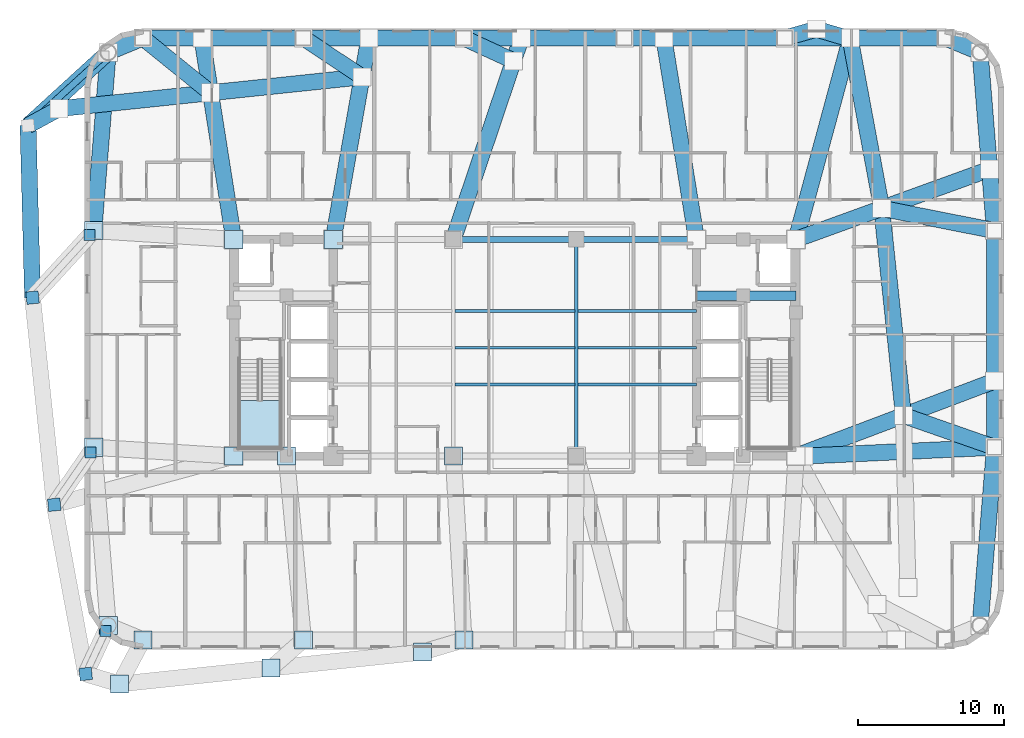
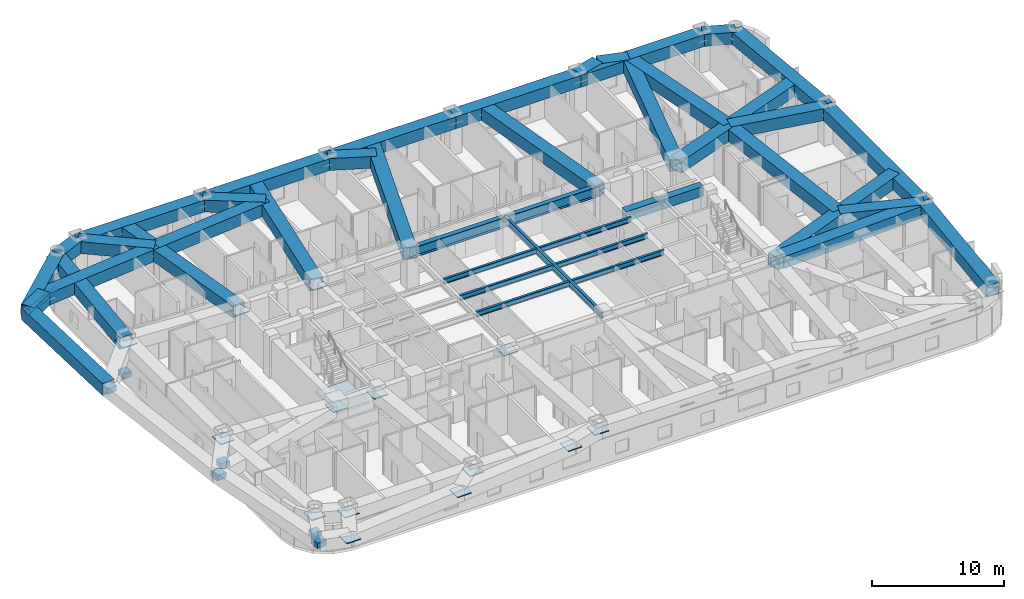
# One storey, part 2 of 14: 43 beams, 20 plates, 1 member, 1 slab, 1 element without a shape of its own.
"""IFC4 building model written with IfcOpenShell, lengths in metres."""

import ifcopenshell
import ifcopenshell.guid

model = None  # the IFC model being written
_history = None  # IfcOwnerHistory: only IFC2X3 demands one
_inside = {}  # id of a spatial element -> (the spatial element, [elements in it])
_under = {}  # id of a project, library or spatial element -> (it, [spatial elements below it])
_declared = {}  # id of a project -> (the project, [libraries it declares])
_typed = {}  # id of a type object -> (the type object, [elements of that type])
_made_of = {}  # id of a material, layer set ... -> (it, [elements and type objects made of it])


def new_model(schema):
    """Start an empty IFC model of exactly this schema.

    Asked for "IFC4X3", IfcOpenShell would pick the latest addendum, in which some entities
    have other attributes; the version numbers below select the first issue.
    IFC2X3 requires an IfcOwnerHistory on every rooted entity: one is made here for all.
    """
    global model, _history
    if schema == "IFC4X3":
        model = ifcopenshell.file(schema_version=(4, 3, 0, 0))
    else:
        model = ifcopenshell.file(schema=schema)
    _inside.clear()
    _under.clear()
    _declared.clear()
    _typed.clear()
    _made_of.clear()
    _history = None
    if model.schema == "IFC2X3":
        org = make("IfcOrganization", Name="unknown")
        user = make(
            "IfcPersonAndOrganization",
            ThePerson=make("IfcPerson", FamilyName="unknown"),
            TheOrganization=org,
        )
        app = make(
            "IfcApplication",
            ApplicationDeveloper=org,
            Version="unknown",
            ApplicationFullName="unknown",
            ApplicationIdentifier="unknown",
        )
        _history = make(
            "IfcOwnerHistory",
            OwningUser=user,
            OwningApplication=app,
            ChangeAction="ADDED",
            CreationDate=0,
        )
    return model


def make(cls, **values):
    """One entity of the class cls with the attributes given. An attribute that is None is left unset."""
    return model.create_entity(
        cls, **{name: value for name, value in values.items() if value is not None}
    )


def rooted(cls, **values):
    """An entity with a GlobalId (a new one), such as an element, a storey or a relation."""
    return make(cls, GlobalId=ifcopenshell.guid.new(), OwnerHistory=_history, **values)


def si_unit(unit_type, name, prefix=None):
    """IfcSIUnit, for example si_unit("LENGTHUNIT", "METRE", prefix="MILLI")."""
    return make("IfcSIUnit", UnitType=unit_type, Prefix=prefix, Name=name)


def assignment(units):
    """IfcUnitAssignment: the units of a project."""
    return None if units is None else make("IfcUnitAssignment", Units=units)


def point(xyz):
    """IfcCartesianPoint."""
    return None if xyz is None else make("IfcCartesianPoint", Coordinates=xyz)


def direction(xyz):
    """IfcDirection."""
    return None if xyz is None else make("IfcDirection", DirectionRatios=xyz)


def frame(location, z_axis=None, x_axis=None):
    """IfcAxis2Placement3D, a coordinate frame: its origin and axes. An axis left out is left unset."""
    return make(
        "IfcAxis2Placement3D",
        Location=point(location),
        Axis=direction(z_axis),
        RefDirection=direction(x_axis),
    )


def frame_2d(location, x_axis=None):
    """IfcAxis2Placement2D, a coordinate frame in the plane: its origin and x axis."""
    return make(
        "IfcAxis2Placement2D", Location=point(location), RefDirection=direction(x_axis)
    )


def origin():
    """The frame at (0, 0, 0) with its axes left unset."""
    return frame((0.0, 0.0, 0.0))


def origin_2d():
    """The frame at (0, 0) in the plane with its x axis left unset."""
    return frame_2d((0.0, 0.0))


def place(relative_to, where):
    """IfcLocalPlacement: puts the frame where relative to a parent placement (None: the world)."""
    return make(
        "IfcLocalPlacement", PlacementRelTo=relative_to, RelativePlacement=where
    )


def context(
    kind, dimensions, precision=None, world=None, true_north=None, identifier=None
):
    """IfcGeometricRepresentationContext, for example the 3D "Model" context."""
    return make(
        "IfcGeometricRepresentationContext",
        ContextIdentifier=identifier,
        ContextType=kind,
        CoordinateSpaceDimension=dimensions,
        Precision=precision,
        WorldCoordinateSystem=world,
        TrueNorth=true_north,
    )


def subcontext(parent, identifier, kind, view, scale=None):
    """IfcGeometricRepresentationSubContext, for example "Body" below "Model"."""
    return make(
        "IfcGeometricRepresentationSubContext",
        ContextIdentifier=identifier,
        ContextType=kind,
        ParentContext=parent,
        TargetScale=scale,
        TargetView=view,
    )


def project(units=None, contexts=None):
    """IfcProject with its units and contexts."""
    return rooted(
        "IfcProject",
        Name="project",
        RepresentationContexts=contexts,
        UnitsInContext=assignment(units),
    )


def spatial(cls, under=None, at=None, **own):
    """A site, building, storey or space (cls), placed at a placement, below another one or the project."""
    s = rooted(cls, ObjectPlacement=at, **own)
    if under is not None:
        _under.setdefault(under.id(), (under, []))[1].append(s)
    return s


def polyline(points):
    """IfcPolyline through the points."""
    return make("IfcPolyline", Points=[point(p) for p in points])


def profile(cls, at=None, kind="AREA", **sizes):
    """A parametric profile (cls). Its sizes go by their IFC names, for example OverallWidth=200.0."""
    return make(cls, ProfileType=kind, Position=at, **sizes)


def rectangle(**sizes):
    """IfcRectangleProfileDef."""
    return profile("IfcRectangleProfileDef", **sizes)


def hollow_rectangle(**sizes):
    """IfcRectangleHollowProfileDef."""
    return profile("IfcRectangleHollowProfileDef", **sizes)


def hollow_circle(**sizes):
    """IfcCircleHollowProfileDef."""
    return profile("IfcCircleHollowProfileDef", **sizes)


def i_section(**sizes):
    """IfcIShapeProfileDef."""
    return profile("IfcIShapeProfileDef", **sizes)


def outline(outer, holes=None, kind="AREA"):
    """IfcArbitraryClosedProfileDef: a profile drawn as a closed curve; with holes, ...WithVoids."""
    if holes is None:
        return make("IfcArbitraryClosedProfileDef", ProfileType=kind, OuterCurve=outer)
    return make(
        "IfcArbitraryProfileDefWithVoids",
        ProfileType=kind,
        OuterCurve=outer,
        InnerCurves=holes,
    )


def extrude(swept, where, along, depth):
    """IfcExtrudedAreaSolid: the profile swept, set in the frame where, extruded along a direction by depth."""
    return make(
        "IfcExtrudedAreaSolid",
        SweptArea=swept,
        Position=where,
        ExtrudedDirection=direction(along),
        Depth=depth,
    )


def shape(context_of_items, identifier, shape_type, items):
    """IfcShapeRepresentation: the items that make up one representation, for example the "Body"."""
    return make(
        "IfcShapeRepresentation",
        ContextOfItems=context_of_items,
        RepresentationIdentifier=identifier,
        RepresentationType=shape_type,
        Items=items,
    )


def material(Name=None, Category=None):
    """IfcMaterial."""
    return make("IfcMaterial", Name=Name, Category=Category)


def layer(
    of_material, thickness, ventilated=None, Name=None, Category=None, Priority=None
):
    """IfcMaterialLayer: one layer of a wall or slab, of a material (None: an air gap)."""
    return make(
        "IfcMaterialLayer",
        Material=of_material,
        LayerThickness=thickness,
        IsVentilated=ventilated,
        Name=Name,
        Category=Category,
        Priority=Priority,
    )


def layer_set(layers, Name=None):
    """IfcMaterialLayerSet."""
    return make("IfcMaterialLayerSet", MaterialLayers=layers, LayerSetName=Name)


def material_profile(
    of_material, cross_section, Name=None, Category=None, Priority=None
):
    """IfcMaterialProfile: a cross section and its material."""
    return make(
        "IfcMaterialProfile",
        Name=Name,
        Material=of_material,
        Profile=cross_section,
        Priority=Priority,
        Category=Category,
    )


def profile_set(profiles, Name=None, composite=None):
    """IfcMaterialProfileSet."""
    return make(
        "IfcMaterialProfileSet",
        Name=Name,
        MaterialProfiles=profiles,
        CompositeProfile=composite,
    )


def made_of(thing, what):
    """Note that an element or type object is made of a material, layer set ...; save() writes the relation."""
    if what is not None:
        _made_of.setdefault(what.id(), (what, []))[1].append(thing)
    return thing


def type_object(cls, material=None, **own):
    """A type object (cls), such as IfcWallType, which elements share."""
    return made_of(rooted(cls, **own), material)


def element(
    cls,
    number,
    at=None,
    inside=None,
    cuts=None,
    type_object=None,
    material=None,
    context=None,
    identifier="Body",
    shape_type=None,
    held_by="IfcProductDefinitionShape",
    body=None,
    shapes=None,
    **own,
):
    """One element of the class cls, such as IfcWall. Its Tag is "e" and its number.

    at: its placement. inside: the storey or other place that contains it. cuts: it is an
    opening in that element (IfcRelVoidsElement). A single representation is given by context,
    identifier, shape_type and body (its items); several are given by shapes. held_by: the class
    of the entity that holds the representations. save() writes the other relations.
    """
    e = rooted(cls, Tag="e%d" % number, ObjectPlacement=at, **own)
    if body is not None:
        shapes = [shape(context, identifier, shape_type, body)]
    if shapes is not None:
        e.Representation = make(held_by, Representations=shapes)
    if inside is not None:
        _inside.setdefault(inside.id(), (inside, []))[1].append(e)
    if cuts is not None:
        rooted(
            "IfcRelVoidsElement", RelatingBuildingElement=cuts, RelatedOpeningElement=e
        )
    if type_object is not None:
        _typed.setdefault(type_object.id(), (type_object, []))[1].append(e)
    return made_of(e, material)


def aggregate(whole, parts):
    """IfcRelAggregates: a whole, such as a stair, and the parts it consists of."""
    return rooted("IfcRelAggregates", RelatingObject=whole, RelatedObjects=parts)


def save(model, path):
    """Write the relations noted so far, then the file.

    IfcRelAggregates (storeys below a building ...), IfcRelContainedInSpatialStructure (elements
    in a storey), IfcRelDefinesByType, IfcRelAssociatesMaterial and IfcRelDeclares: one each for
    every whole, place, type object, material and project.
    """
    for whole, parts in _under.values():
        aggregate(whole, parts)
    for where, things in _inside.values():
        rooted(
            "IfcRelContainedInSpatialStructure",
            RelatedElements=things,
            RelatingStructure=where,
        )
    for kind, things in _typed.values():
        rooted("IfcRelDefinesByType", RelatedObjects=things, RelatingType=kind)
    for what, things in _made_of.values():
        rooted("IfcRelAssociatesMaterial", RelatedObjects=things, RelatingMaterial=what)
    for by, libraries in _declared.values():
        rooted("IfcRelDeclares", RelatingContext=by, RelatedDefinitions=libraries)
    model.write(path)


model = new_model("IFC4")

# Units and contexts
model_context = context("Model", 3, precision=1e-05, world=origin(), true_north=direction((0.0, 1.0)))
body_context = subcontext(model_context, "Body", "Model", "MODEL_VIEW")
ifc_project = project(units=[si_unit("LENGTHUNIT", "METRE"), si_unit("AREAUNIT", "SQUARE_METRE"), si_unit("VOLUMEUNIT", "CUBIC_METRE"), si_unit("PLANEANGLEUNIT", "RADIAN"), si_unit("MASSUNIT", "GRAM", prefix="KILO")], contexts=[model_context])

# Site, building, storey
site_placement = place(None, origin())
site = spatial("IfcSite", under=ifc_project, at=site_placement, CompositionType="ELEMENT")
building_placement = place(site_placement, origin())
building = spatial("IfcBuilding", under=site, at=building_placement, Name="Voryun Gate Residences", CompositionType="ELEMENT")
storey_placement = place(building_placement, frame((0.0, 0.0, 136.5)))
storey = spatial("IfcBuildingStorey", under=building, at=storey_placement, Name="L33", CompositionType="ELEMENT", Elevation=136.5)

# Beams
ifc_material_1 = material(Name="Steel SM420", Category="steel")
ifc_material_profile_1 = material_profile(ifc_material_1, hollow_rectangle(XDim=1.10009765625, YDim=1.10009765625, WallThickness=0.035888671875, at=origin_2d()), Name="BOX-1100x1100x36")
ifc_profile_set_1 = profile_set([ifc_material_profile_1], Name="Steel SM420")
beam_type_1 = type_object("IfcBeamType", Name="BM_ARCH_RIB", PredefinedType="USERDEFINED", material=ifc_profile_set_1)
beam_1_placement = place(storey_placement, frame((31.768798828125, -18.96875, 2.949951171875), z_axis=(0.080359517973, 0.996765944378, 0.0), x_axis=(-0.996765944378, 0.080359517973, 0.0)))
element("IfcBeam", 1, at=beam_1_placement, inside=storey, type_object=beam_type_1, Name="BM-L33-SPAND-07", ObjectType="GIRDER", PredefinedType="USERDEFINED", context=body_context, shape_type="SweptSolid", body=[
    extrude(hollow_rectangle(XDim=1.10009765625, YDim=1.10009765625, WallThickness=0.035888671875, at=origin_2d()), origin(), (0.0, 0.0, 1.0), 12.210205078125),
])
beam_2_placement = place(storey_placement, frame((32.75, -6.798095703125, 2.949951171875), z_axis=(0.0, 1.0, 0.0), x_axis=(-1.0, 0.0, 0.0)))
element("IfcBeam", 2, at=beam_2_placement, inside=storey, type_object=beam_type_1, Name="BM-L33-SPAND-08", ObjectType="GIRDER", PredefinedType="USERDEFINED", context=body_context, shape_type="SweptSolid", body=[
    extrude(hollow_rectangle(XDim=1.10009765625, YDim=1.10009765625, WallThickness=0.035888671875, at=origin_2d()), origin(), (0.0, 0.0, 1.0), 14.796142578125),
])
beam_3_placement = place(storey_placement, frame((32.75, 7.998046875, 2.949951171875), z_axis=(-0.080359517973, 0.996765944378, 0.0), x_axis=(-0.996765944378, -0.080359517973, 0.0)))
element("IfcBeam", 3, at=beam_3_placement, inside=storey, type_object=beam_type_1, Name="BM-L33-SPAND-09", ObjectType="GIRDER", PredefinedType="USERDEFINED", context=body_context, shape_type="SweptSolid", body=[
    extrude(hollow_rectangle(XDim=1.10009765625, YDim=1.10009765625, WallThickness=0.035888671875, at=origin_2d()), origin(), (0.0, 0.0, 1.0), 12.210205078125),
])
beam_4_placement = place(storey_placement, frame((31.768798828125, 20.168701171875, 2.949951171875), z_axis=(-0.923883376753, 0.382674151414, 0.0), x_axis=(-0.382674151414, -0.923883376753, 0.0)))
element("IfcBeam", 4, at=beam_4_placement, inside=storey, type_object=beam_type_1, Name="BM-L33-SPAND-10", ObjectType="GIRDER", PredefinedType="USERDEFINED", context=body_context, shape_type="SweptSolid", body=[
    extrude(hollow_rectangle(XDim=1.10009765625, YDim=1.10009765625, WallThickness=0.035888671875, at=origin_2d()), origin(), (0.0, 0.0, 1.0), 2.56396484375),
])
for number, where, z_axis, x_axis, name in (
    (5, (29.39990234375, 21.14990234375, 2.949951171875), (-1.0, 0.0, 0.0), (0.0, -1.0, 0.0), "BM-L33-SPAND-11"),
    (6, (18.43994140625, 21.14990234375, 2.949951171875), (-1.0, 0.0, 0.0), (0.0, -1.0, 0.0), "BM-L33-SPAND-12"),
    (7, (7.47998046875, 21.14990234375, 2.949951171875), (-1.0, 0.0, 0.0), (0.0, -1.0, 0.0), "BM-L33-SPAND-13"),
    (8, (-3.47998046875, 21.14990234375, 2.949951171875), (-1.0, 0.0, 0.0), (0.0, -1.0, 0.0), "BM-L33-SPAND-14"),
    (9, (-14.43994140625, 21.14990234375, 2.949951171875), (-1.0, 0.0, 0.0), (0.0, -1.0, 0.0), "BM-L33-SPAND-15"),
):
    element("IfcBeam", number, at=place(storey_placement, frame(where, z_axis=z_axis, x_axis=x_axis)), inside=storey, type_object=beam_type_1, Name=name, ObjectType="GIRDER", PredefinedType="USERDEFINED", context=body_context, shape_type="SweptSolid", body=[
        extrude(hollow_rectangle(XDim=1.10009765625, YDim=1.10009765625, WallThickness=0.035888671875, at=origin_2d()), origin(), (0.0, 0.0, 1.0), 10.9599609375),
    ])
beam_5_placement = place(storey_placement, frame((-25.39990234375, 21.14990234375, 2.949951171875), z_axis=(-0.923883376753, -0.382674151414, 0.0), x_axis=(0.382674151414, -0.923883376753, 0.0)))
element("IfcBeam", 10, at=beam_5_placement, inside=storey, type_object=beam_type_1, Name="BM-L33-SPAND-16", ObjectType="GIRDER", PredefinedType="USERDEFINED", context=body_context, shape_type="SweptSolid", body=[
    extrude(hollow_rectangle(XDim=1.10009765625, YDim=1.10009765625, WallThickness=0.035888671875, at=origin_2d()), origin(), (0.0, 0.0, 1.0), 2.56396484375),
])
beam_6_placement = place(storey_placement, frame((-27.768798828125, 20.168701171875, 2.949951171875), z_axis=(-0.080359517973, -0.996765944378, 0.0), x_axis=(0.996765944378, -0.080359517973, 0.0)))
element("IfcBeam", 11, at=beam_6_placement, inside=storey, type_object=beam_type_1, Name="BM-L33-SPAND-17", ObjectType="GIRDER", PredefinedType="USERDEFINED", context=body_context, shape_type="SweptSolid", body=[
    extrude(hollow_rectangle(XDim=1.10009765625, YDim=1.10009765625, WallThickness=0.035888671875, at=origin_2d()), origin(), (0.0, 0.0, 1.0), 12.210205078125),
])
beam_7_placement = place(storey_placement, frame((19.199951171875, -7.39990234375, 2.949951171875), z_axis=(0.93524374113, 0.354004441607, 0.0), x_axis=(-0.354004441607, 0.93524374113, 0.0)))
element("IfcBeam", 12, at=beam_7_placement, inside=storey, type_object=beam_type_1, Name="BM-L33-XFERCANT-E1", ObjectType="GIRDER", PredefinedType="USERDEFINED", context=body_context, shape_type="SweptSolid", body=[
    extrude(hollow_rectangle(XDim=1.10009765625, YDim=1.10009765625, WallThickness=0.035888671875, at=origin_2d()), origin(), (0.0, 0.0, 1.0), 14.48828125),
])
beam_8_placement = place(storey_placement, frame((32.75, -6.798095703125, 2.949951171875), z_axis=(-0.94393981788, 0.330117585446, 0.0), x_axis=(-0.330117585446, -0.94393981788, 0.0)))
element("IfcBeam", 13, at=beam_8_placement, inside=storey, type_object=beam_type_1, Name="BM-L33-XFERLOW-E1", ObjectType="GIRDER", PredefinedType="USERDEFINED", context=body_context, shape_type="SweptSolid", body=[
    extrude(hollow_rectangle(XDim=1.10009765625, YDim=1.10009765625, WallThickness=0.035888671875, at=origin_2d()), origin(), (0.0, 0.0, 1.0), 6.585693359375),
])
beam_9_placement = place(storey_placement, frame((19.199951171875, 7.39990234375, 2.949951171875), z_axis=(0.940212718423, 0.340587792083, 0.0), x_axis=(-0.340587792083, 0.940212718423, 0.0)))
element("IfcBeam", 14, at=beam_9_placement, inside=storey, type_object=beam_type_1, Name="BM-L33-XFERCANT-E2", ObjectType="GIRDER", PredefinedType="USERDEFINED", context=body_context, shape_type="SweptSolid", body=[
    extrude(hollow_rectangle(XDim=1.10009765625, YDim=1.10009765625, WallThickness=0.035888671875, at=origin_2d()), origin(), (0.0, 0.0, 1.0), 14.052490234375),
])
beam_10_placement = place(storey_placement, frame((32.75, 7.998046875, 2.949951171875), z_axis=(-0.981080945153, 0.193597983092, 0.0), x_axis=(-0.193597983092, -0.981080945153, 0.0)))
element("IfcBeam", 15, at=beam_10_placement, inside=storey, type_object=beam_type_1, Name="BM-L33-XFERLOW-E2", ObjectType="GIRDER", PredefinedType="USERDEFINED", context=body_context, shape_type="SweptSolid", body=[
    extrude(hollow_rectangle(XDim=1.10009765625, YDim=1.10009765625, WallThickness=0.035888671875, at=origin_2d()), origin(), (0.0, 0.0, 1.0), 7.851318359375),
])
beam_11_placement = place(storey_placement, frame((19.199951171875, 7.39990234375, 2.949951171875), z_axis=(0.261489986327, 0.965206188879, 0.0), x_axis=(-0.965206188879, 0.261489986327, 0.0)))
element("IfcBeam", 16, at=beam_11_placement, inside=storey, type_object=beam_type_1, Name="BM-L33-XFERCANT-CNE", ObjectType="GIRDER", PredefinedType="USERDEFINED", context=body_context, shape_type="SweptSolid", body=[
    extrude(hollow_rectangle(XDim=1.10009765625, YDim=1.10009765625, WallThickness=0.035888671875, at=origin_2d()), origin(), (0.0, 0.0, 1.0), 14.24560546875),
])
beam_12_placement = place(storey_placement, frame((18.43994140625, 21.14990234375, 2.949951171875), z_axis=(0.962175833516, 0.272429193365, 0.0), x_axis=(-0.272429193365, 0.962175833516, 0.0)))
element("IfcBeam", 17, at=beam_12_placement, inside=storey, type_object=beam_type_1, Name="BM-L33-XFERLOW-N1", ObjectType="GIRDER", PredefinedType="USERDEFINED", context=body_context, shape_type="SweptSolid", body=[
    extrude(hollow_rectangle(XDim=1.10009765625, YDim=1.10009765625, WallThickness=0.035888671875, at=origin_2d()), origin(), (0.0, 0.0, 1.0), 2.23779296875),
])
beam_13_placement = place(storey_placement, frame((12.39990234375, 7.39990234375, 2.949951171875), z_axis=(-0.159900836493, 0.987133082461, 0.0), x_axis=(-0.987133082461, -0.159900836493, 0.0)))
element("IfcBeam", 18, at=beam_13_placement, inside=storey, type_object=beam_type_1, Name="BM-L33-XFERCANT-N2", ObjectType="GIRDER", PredefinedType="USERDEFINED", context=body_context, shape_type="SweptSolid", body=[
    extrude(hollow_rectangle(XDim=1.10009765625, YDim=1.10009765625, WallThickness=0.035888671875, at=origin_2d()), origin(), (0.0, 0.0, 1.0), 13.92919921875),
])
beam_14_placement = place(storey_placement, frame((-4.199951171875, 7.39990234375, 2.949951171875), z_axis=(0.31938588273, 0.947624745304, 0.0), x_axis=(-0.947624745304, 0.31938588273, 0.0)))
element("IfcBeam", 19, at=beam_14_placement, inside=storey, type_object=beam_type_1, Name="BM-L33-XFERCANT-N3", ObjectType="GIRDER", PredefinedType="USERDEFINED", context=body_context, shape_type="SweptSolid", body=[
    extrude(hollow_rectangle(XDim=1.10009765625, YDim=1.10009765625, WallThickness=0.035888671875, at=origin_2d()), origin(), (0.0, 0.0, 1.0), 14.510009765625),
])
beam_15_placement = place(storey_placement, frame((-3.47998046875, 21.14990234375, 2.949951171875), z_axis=(0.907832934519, -0.419332043855, 0.0), x_axis=(0.419332043855, 0.907832934519, 0.0)))
element("IfcBeam", 20, at=beam_15_placement, inside=storey, type_object=beam_type_1, Name="BM-L33-XFERLOW-N3", ObjectType="GIRDER", PredefinedType="USERDEFINED", context=body_context, shape_type="SweptSolid", body=[
    extrude(hollow_rectangle(XDim=1.10009765625, YDim=1.10009765625, WallThickness=0.035888671875, at=origin_2d()), origin(), (0.0, 0.0, 1.0), 3.730712890625),
])
beam_16_placement = place(storey_placement, frame((-12.39990234375, 7.39990234375, 2.949951171875), z_axis=(0.174246119547, 0.984702132537, 0.0), x_axis=(-0.984702132537, 0.174246119547, 0.0)))
element("IfcBeam", 21, at=beam_16_placement, inside=storey, type_object=beam_type_1, Name="BM-L33-XFERCANT-N4", ObjectType="GIRDER", PredefinedType="USERDEFINED", context=body_context, shape_type="SweptSolid", body=[
    extrude(hollow_rectangle(XDim=1.10009765625, YDim=1.10009765625, WallThickness=0.035888671875, at=origin_2d()), origin(), (0.0, 0.0, 1.0), 13.963623046875),
])
beam_17_placement = place(storey_placement, frame((-14.43994140625, 21.14990234375, 2.949951171875), z_axis=(0.833743607544, -0.552151787899, 0.0), x_axis=(0.552151787899, 0.833743607544, 0.0)))
element("IfcBeam", 22, at=beam_17_placement, inside=storey, type_object=beam_type_1, Name="BM-L33-XFERLOW-N4", ObjectType="GIRDER", PredefinedType="USERDEFINED", context=body_context, shape_type="SweptSolid", body=[
    extrude(hollow_rectangle(XDim=1.10009765625, YDim=1.10009765625, WallThickness=0.035888671875, at=origin_2d()), origin(), (0.0, 0.0, 1.0), 4.80224609375),
])
beam_18_placement = place(storey_placement, frame((-19.199951171875, 7.39990234375, 2.949951171875), z_axis=(-0.155797753357, 0.987788975464, 0.0), x_axis=(-0.987788975464, -0.155797753357, 0.0)))
element("IfcBeam", 23, at=beam_18_placement, inside=storey, type_object=beam_type_1, Name="BM-L33-XFERCANT-N5", ObjectType="GIRDER", PredefinedType="USERDEFINED", context=body_context, shape_type="SweptSolid", body=[
    extrude(hollow_rectangle(XDim=1.10009765625, YDim=1.10009765625, WallThickness=0.035888671875, at=origin_2d()), origin(), (0.0, 0.0, 1.0), 13.919921875),
])
beam_19_placement = place(storey_placement, frame((-25.39990234375, 21.14990234375, 2.949951171875), z_axis=(0.777402670694, -0.629003249274, 0.0), x_axis=(0.629003249274, 0.777402670694, 0.0)))
element("IfcBeam", 24, at=beam_19_placement, inside=storey, type_object=beam_type_1, Name="BM-L33-XFERLOW-N5", ObjectType="GIRDER", PredefinedType="USERDEFINED", context=body_context, shape_type="SweptSolid", body=[
    extrude(hollow_rectangle(XDim=1.10009765625, YDim=1.10009765625, WallThickness=0.035888671875, at=origin_2d()), origin(), (0.0, 0.0, 1.0), 5.94384765625),
])
beam_20_placement = place(storey_placement, frame((-27.768798828125, 20.168701171875, 2.949951171875), z_axis=(-0.738551835858, -0.674196696633, 0.0), x_axis=(0.674196696633, -0.738551835858, 0.0)))
element("IfcBeam", 25, at=beam_20_placement, inside=storey, type_object=beam_type_1, Name="BM-L33-XFERLOW-CNW", ObjectType="GIRDER", PredefinedType="USERDEFINED", context=body_context, shape_type="SweptSolid", body=[
    extrude(hollow_rectangle(XDim=1.10009765625, YDim=1.10009765625, WallThickness=0.035888671875, at=origin_2d()), origin(), (0.0, 0.0, 1.0), 7.408935546875),
])
beam_21_placement = place(storey_placement, frame((26.533447265625, -4.6240234375, 2.949951171875), z_axis=(-0.104523913446, 0.994522373563, 0.0), x_axis=(-0.994522373563, -0.104523913446, 0.0)))
element("IfcBeam", 26, at=beam_21_placement, inside=storey, type_object=beam_type_1, Name="BM-L33-XFERRING-08", ObjectType="GIRDER", PredefinedType="USERDEFINED", context=body_context, shape_type="SweptSolid", body=[
    extrude(hollow_rectangle(XDim=1.10009765625, YDim=1.10009765625, WallThickness=0.035888671875, at=origin_2d()), origin(), (0.0, 0.0, 1.0), 14.219970703125),
])
beam_22_placement = place(storey_placement, frame((25.047119140625, 9.51806640625, 2.949951171875), z_axis=(-0.182267768769, 0.983248931079, 0.0), x_axis=(-0.983248931079, -0.182267768769, 0.0)))
element("IfcBeam", 27, at=beam_22_placement, inside=storey, type_object=beam_type_1, Name="BM-L33-XFERRING-09", ObjectType="GIRDER", PredefinedType="USERDEFINED", context=body_context, shape_type="SweptSolid", body=[
    extrude(hollow_rectangle(XDim=1.10009765625, YDim=1.10009765625, WallThickness=0.035888671875, at=origin_2d()), origin(), (0.0, 0.0, 1.0), 11.753662109375),
])
beam_23_placement = place(storey_placement, frame((22.90478515625, 21.074951171875, 2.949951171875), z_axis=(-0.958843048967, 0.283936625758, 0.0), x_axis=(-0.283936625758, -0.958843048967, 0.0)))
element("IfcBeam", 28, at=beam_23_placement, inside=storey, type_object=beam_type_1, Name="BM-L33-XFERRING-10", ObjectType="GIRDER", PredefinedType="USERDEFINED", context=body_context, shape_type="SweptSolid", body=[
    extrude(hollow_rectangle(XDim=1.10009765625, YDim=1.10009765625, WallThickness=0.035888671875, at=origin_2d()), origin(), (0.0, 0.0, 1.0), 2.410888671875),
])
for number, where, z_axis, x_axis, name in (
    (29, (-10.43603515625, 18.498291015625, 2.949951171875), (-0.994521263116, -0.104534478571, 0.0), (0.104534478571, -0.994521263116, 0.0), "BM-L33-XFERRING-14"),
    (30, (-20.779052734375, 17.4111328125, 2.949951171875), (-0.994521263116, -0.104534478571, 0.0), (0.104534478571, -0.994521263116, 0.0), "BM-L33-XFERRING-15"),
):
    element("IfcBeam", number, at=place(storey_placement, frame(where, z_axis=z_axis, x_axis=x_axis)), inside=storey, type_object=beam_type_1, Name=name, ObjectType="GIRDER", PredefinedType="USERDEFINED", context=body_context, shape_type="SweptSolid", body=[
        extrude(hollow_rectangle(XDim=1.10009765625, YDim=1.10009765625, WallThickness=0.035888671875, at=origin_2d()), origin(), (0.0, 0.0, 1.0), 10.39990234375),
    ])
beam_24_placement = place(storey_placement, frame((-31.1220703125, 16.323974609375, 2.949951171875), z_axis=(-0.878807326808, -0.47717678312, 0.0), x_axis=(0.47717678312, -0.878807326808, 0.0)))
element("IfcBeam", 31, at=beam_24_placement, inside=storey, type_object=beam_type_1, Name="BM-L33-XFERRING-16", ObjectType="GIRDER", PredefinedType="USERDEFINED", context=body_context, shape_type="SweptSolid", body=[
    extrude(hollow_rectangle(XDim=1.10009765625, YDim=1.10009765625, WallThickness=0.035888671875, at=origin_2d()), origin(), (0.0, 0.0, 1.0), 2.410888671875),
])
beam_25_placement = place(storey_placement, frame((-33.24072265625, 15.173583984375, 2.949951171875), z_axis=(0.026130790716, -0.999658532588, 0.0), x_axis=(0.999658532588, 0.026130790716, 0.0)))
element("IfcBeam", 32, at=beam_25_placement, inside=storey, type_object=beam_type_1, Name="BM-L33-XFERRING-17", ObjectType="GIRDER", PredefinedType="USERDEFINED", context=body_context, shape_type="SweptSolid", body=[
    extrude(hollow_rectangle(XDim=1.10009765625, YDim=1.10009765625, WallThickness=0.035888671875, at=origin_2d()), origin(), (0.0, 0.0, 1.0), 11.75341796875),
])
beam_26_placement = place(storey_placement, frame((19.75, -7.39990234375, 2.949951171875), z_axis=(0.998930206616, 0.046243294759, 0.0), x_axis=(-0.046243294759, 0.998930206616, 0.0)))
element("IfcBeam", 33, at=beam_26_placement, inside=storey, type_object=beam_type_1, Name="BM-L33-RAD-E1", ObjectType="GIRDER", PredefinedType="USERDEFINED", context=body_context, shape_type="SweptSolid", body=[
    extrude(hollow_rectangle(XDim=1.10009765625, YDim=1.10009765625, WallThickness=0.035888671875, at=origin_2d()), origin(), (0.0, 0.0, 1.0), 13.013916015625),
])
ifc_material_2 = material(Name="Concrete C60/75", Category="concrete")
ifc_material_profile_2 = material_profile(ifc_material_2, rectangle(XDim=0.64990234375, YDim=0.89990234375, at=origin_2d()), Name="RC-650x900")
ifc_profile_set_2 = profile_set([ifc_material_profile_2], Name="Concrete C60/75")
beam_type_2 = type_object("IfcBeamType", Name="BM_COUP_RC900", PredefinedType="LINTEL", material=ifc_profile_set_2)
beam_27_placement = place(storey_placement, frame((12.39990234375, 3.550048828125, 3.050048828125), z_axis=(1.0, 0.0, 0.0), x_axis=(0.0, 1.0, 0.0)))
element("IfcBeam", 34, at=beam_27_placement, inside=storey, type_object=beam_type_2, Name="BM-L33-EC1", PredefinedType="LINTEL", context=body_context, shape_type="SweptSolid", body=[
    extrude(rectangle(XDim=0.64990234375, YDim=0.89990234375, at=origin_2d()), origin(), (0.0, 0.0, 1.0), 6.800048828125),
])
ifc_material_3 = material(Name="Steel SM355", Category="steel")
ifc_material_profile_3 = material_profile(ifc_material_3, i_section(OverallWidth=0.25, OverallDepth=0.60009765625, WebThickness=0.011962890625, FlangeThickness=0.02197265625, FilletRadius=0.01806640625, at=origin_2d()), Name="H-600x250x12x22")
ifc_profile_set_3 = profile_set([ifc_material_profile_3], Name="Steel SM355")
beam_type_3 = type_object("IfcBeamType", Name="BM_GIRD_600", PredefinedType="USERDEFINED", material=ifc_profile_set_3)
beam_28_placement = place(storey_placement, frame((4.199951171875, -7.39990234375, 3.199951171875), z_axis=(0.0, 1.0, 0.0), x_axis=(-1.0, 0.0, 0.0)))
element("IfcBeam", 35, at=beam_28_placement, inside=storey, type_object=beam_type_3, Name="BM-L33-SPX-E", ObjectType="GIRDER", PredefinedType="USERDEFINED", context=body_context, shape_type="SweptSolid", body=[
    extrude(i_section(OverallWidth=0.25, OverallDepth=0.60009765625, WebThickness=0.011962890625, FlangeThickness=0.02197265625, FilletRadius=0.01806640625, at=origin_2d()), origin(), (0.0, 0.0, 1.0), 14.7998046875),
])
ifc_material_4 = material(Name="Steel SM355", Category="steel")
ifc_material_profile_4 = material_profile(ifc_material_4, i_section(OverallWidth=0.199951171875, OverallDepth=0.47998046875, WebThickness=0.010009765625, FlangeThickness=0.01806640625, FilletRadius=0.01806640625, at=origin_2d()), Name="H-480x200x10x18")
ifc_profile_set_4 = profile_set([ifc_material_profile_4], Name="Steel SM355")
beam_type_4 = type_object("IfcBeamType", Name="BM_SEC_480", PredefinedType="BEAM", material=ifc_profile_set_4)
beam_29_placement = place(storey_placement, frame((-4.10009765625, -2.5, 3.260009765625), z_axis=(1.0, 0.0, 0.0), x_axis=(0.0, 1.0, 0.0)))
element("IfcBeam", 36, at=beam_29_placement, inside=storey, type_object=beam_type_4, Name="BM-L33-SEC-CS2", PredefinedType="BEAM", context=body_context, shape_type="SweptSolid", body=[
    extrude(i_section(OverallWidth=0.199951171875, OverallDepth=0.47998046875, WebThickness=0.010009765625, FlangeThickness=0.01806640625, FilletRadius=0.01806640625, at=origin_2d()), origin(), (0.0, 0.0, 1.0), 8.2001953125),
])
beam_30_placement = place(storey_placement, frame((4.300048828125, -2.5, 3.260009765625), z_axis=(1.0, 0.0, 0.0), x_axis=(0.0, 1.0, 0.0)))
element("IfcBeam", 37, at=beam_30_placement, inside=storey, type_object=beam_type_4, Name="BM-L33-SEC-CS3", PredefinedType="BEAM", context=body_context, shape_type="SweptSolid", body=[
    extrude(i_section(OverallWidth=0.199951171875, OverallDepth=0.47998046875, WebThickness=0.010009765625, FlangeThickness=0.01806640625, FilletRadius=0.01806640625, at=origin_2d()), origin(), (0.0, 0.0, 1.0), 8.099853515625),
])
beam_31_placement = place(storey_placement, frame((-4.10009765625, 0.0, 3.260009765625), z_axis=(1.0, 0.0, 0.0), x_axis=(0.0, 1.0, 0.0)))
element("IfcBeam", 38, at=beam_31_placement, inside=storey, type_object=beam_type_4, Name="BM-L33-SEC-CM2", PredefinedType="BEAM", context=body_context, shape_type="SweptSolid", body=[
    extrude(i_section(OverallWidth=0.199951171875, OverallDepth=0.47998046875, WebThickness=0.010009765625, FlangeThickness=0.01806640625, FilletRadius=0.01806640625, at=origin_2d()), origin(), (0.0, 0.0, 1.0), 8.2001953125),
])
beam_32_placement = place(storey_placement, frame((4.300048828125, 0.0, 3.260009765625), z_axis=(1.0, 0.0, 0.0), x_axis=(0.0, 1.0, 0.0)))
element("IfcBeam", 39, at=beam_32_placement, inside=storey, type_object=beam_type_4, Name="BM-L33-SEC-CM3", PredefinedType="BEAM", context=body_context, shape_type="SweptSolid", body=[
    extrude(i_section(OverallWidth=0.199951171875, OverallDepth=0.47998046875, WebThickness=0.010009765625, FlangeThickness=0.01806640625, FilletRadius=0.01806640625, at=origin_2d()), origin(), (0.0, 0.0, 1.0), 8.099853515625),
])
beam_33_placement = place(storey_placement, frame((-4.10009765625, 2.5, 3.260009765625), z_axis=(1.0, 0.0, 0.0), x_axis=(0.0, 1.0, 0.0)))
element("IfcBeam", 40, at=beam_33_placement, inside=storey, type_object=beam_type_4, Name="BM-L33-SEC-CN2", PredefinedType="BEAM", context=body_context, shape_type="SweptSolid", body=[
    extrude(i_section(OverallWidth=0.199951171875, OverallDepth=0.47998046875, WebThickness=0.010009765625, FlangeThickness=0.01806640625, FilletRadius=0.01806640625, at=origin_2d()), origin(), (0.0, 0.0, 1.0), 8.2001953125),
])
beam_34_placement = place(storey_placement, frame((4.300048828125, 2.5, 3.260009765625), z_axis=(1.0, 0.0, 0.0), x_axis=(0.0, 1.0, 0.0)))
element("IfcBeam", 41, at=beam_34_placement, inside=storey, type_object=beam_type_4, Name="BM-L33-SEC-CN3", PredefinedType="BEAM", context=body_context, shape_type="SweptSolid", body=[
    extrude(i_section(OverallWidth=0.199951171875, OverallDepth=0.47998046875, WebThickness=0.010009765625, FlangeThickness=0.01806640625, FilletRadius=0.01806640625, at=origin_2d()), origin(), (0.0, 0.0, 1.0), 8.099853515625),
])
ifc_material_5 = material(Name="Steel SM420", Category="steel")
ifc_material_profile_5 = material_profile(ifc_material_5, i_section(OverallWidth=0.419921875, OverallDepth=0.949951171875, WebThickness=0.02001953125, FlangeThickness=0.035888671875, FilletRadius=0.01806640625, at=origin_2d()), Name="H-950x420x20x36")
ifc_profile_set_5 = profile_set([ifc_material_profile_5], Name="Steel SM420")
beam_type_5 = type_object("IfcBeamType", Name="BM_XFER_950", PredefinedType="USERDEFINED", material=ifc_profile_set_5)
beam_35_placement = place(storey_placement, frame((-4.199951171875, 7.39990234375, 3.02490234375), z_axis=(1.0, 0.0, 0.0), x_axis=(0.0, 1.0, 0.0)))
element("IfcBeam", 42, at=beam_35_placement, inside=storey, type_object=beam_type_5, Name="BM-L33-SPG2-N", ObjectType="GIRDER", PredefinedType="USERDEFINED", context=body_context, shape_type="SweptSolid", body=[
    extrude(i_section(OverallWidth=0.419921875, OverallDepth=0.949951171875, WebThickness=0.02001953125, FlangeThickness=0.035888671875, FilletRadius=0.01806640625, at=origin_2d()), origin(), (0.0, 0.0, 1.0), 8.39990234375),
])
beam_36_placement = place(storey_placement, frame((4.199951171875, 7.39990234375, 3.02490234375), z_axis=(1.0, 0.0, 0.0), x_axis=(0.0, 1.0, 0.0)))
element("IfcBeam", 43, at=beam_36_placement, inside=storey, type_object=beam_type_5, Name="BM-L33-SPG3-N", ObjectType="GIRDER", PredefinedType="USERDEFINED", context=body_context, shape_type="SweptSolid", body=[
    extrude(i_section(OverallWidth=0.419921875, OverallDepth=0.949951171875, WebThickness=0.02001953125, FlangeThickness=0.035888671875, FilletRadius=0.01806640625, at=origin_2d()), origin(), (0.0, 0.0, 1.0), 8.199951171875),
])

# Member
ifc_material_6 = material(Name="Steel SM420", Category="steel")
ifc_material_profile_6 = material_profile(ifc_material_6, hollow_circle(Radius=0.22998046875, WallThickness=0.02197265625, at=origin_2d()), Name="CHS-460x22")
ifc_profile_set_6 = profile_set([ifc_material_profile_6], Name="Steel SM420")
member_type = type_object("IfcMemberType", Name="MBR_CANT_STRUT_UP", PredefinedType="STRUT", material=ifc_profile_set_6)
member_placement = place(storey_placement, frame((-28.0791015625, 19.885498046875, 0.35009765625), z_axis=(-0.692204241655, -0.631895840694, 0.348655896764), x_axis=(0.674201440443, -0.738547505381, 0.0)))
element("IfcMember", 44, at=member_placement, inside=storey, type_object=member_type, Name="L33 Block B3 Cantilever Strut CNW", PredefinedType="STRUT", context=body_context, shape_type="SweptSolid", body=[
    extrude(hollow_circle(Radius=0.22998046875, WallThickness=0.02197265625, at=origin_2d()), origin(), (0.0, 0.0, 1.0), 7.456787109375),
])

# Plates
ifc_material_7 = material(Name="Steel SM355", Category="steel")
ifc_layer_1 = layer(ifc_material_7, 0.02490234375, Name="PLT_END_CAP_25")
ifc_layer_set_1 = layer_set([ifc_layer_1], Name="Steel SM355")
plate_type_1 = type_object("IfcPlateType", Name="PLT_END_CAP_25", PredefinedType="USERDEFINED", material=ifc_layer_set_1)
for number, where, z_axis, x_axis, name in (
    (45, (-25.39990234375, -19.949951171875, 2.909912109375), (0.0, 0.0, 1.0), (1.0, 0.0, 0.0), "L33 Hollow Member End-Cap Plate EC-392"),
    (46, (-14.43994140625, -19.949951171875, 2.909912109375), (0.0, 0.0, 1.0), (1.0, 0.0, 0.0), "L33 Hollow Member End-Cap Plate EC-393"),
    (47, (-3.47998046875, -19.949951171875, 2.909912109375), (0.0, 0.0, 1.0), (1.0, 0.0, 0.0), "L33 Hollow Member End-Cap Plate EC-394"),
    (48, (-28.75, 7.998046875, 2.909912109375), (0.0, 0.0, 1.0), (1.0, 0.0, 0.0), "L33 Hollow Member End-Cap Plate EC-409"),
    (49, (-28.75, -6.798095703125, 2.909912109375), (0.0, 0.0, 1.0), (1.0, 0.0, 0.0), "L33 Hollow Member End-Cap Plate EC-410"),
    (50, (-27.768798828125, -18.96875, 2.909912109375), (0.0, 0.0, 1.0), (1.0, 0.0, 0.0), "L33 Hollow Member End-Cap Plate EC-411"),
    (51, (-26.9931640625, -22.959716796875, 2.909912109375), (0.0, 0.0, 1.0), (1.0, 0.0, 0.0), "L33 Hollow Member End-Cap Plate EC-412"),
    (52, (-16.650146484375, -21.87255859375, 2.909912109375), (0.0, 0.0, 1.0), (1.0, 0.0, 0.0), "L33 Hollow Member End-Cap Plate EC-413"),
    (53, (-6.30712890625, -20.785400390625, 2.909912109375), (0.0, 0.0, 1.0), (1.0, 0.0, 0.0), "L33 Hollow Member End-Cap Plate EC-414"),
    (54, (-12.39990234375, 7.39990234375, 2.909912109375), (0.0, 0.0, 1.0), (1.0, 0.0, 0.0), "L33 Hollow Member End-Cap Plate EC-435"),
    (55, (-19.199951171875, 7.39990234375, 2.909912109375), (0.0, 0.0, 1.0), (1.0, 0.0, 0.0), "L33 Hollow Member End-Cap Plate EC-438"),
    (56, (-19.199951171875, -7.39990234375, 2.909912109375), (0.0, 0.0, 1.0), (1.0, 0.0, 0.0), "L33 Hollow Member End-Cap Plate EC-441"),
    (57, (-15.60009765625, -7.39990234375, 2.909912109375), (0.0, 0.0, 1.0), (1.0, 0.0, 0.0), "L33 Hollow Member End-Cap Plate EC-444"),
    (58, (-4.199951171875, -7.39990234375, 2.909912109375), (0.0, 0.0, 1.0), (1.0, 0.0, 0.0), "L33 Hollow Member End-Cap Plate EC-445"),
):
    element("IfcPlate", number, at=place(storey_placement, frame(where, z_axis=z_axis, x_axis=x_axis)), inside=storey, type_object=plate_type_1, Name=name, ObjectType="BASE_PLATE", PredefinedType="USERDEFINED", context=body_context, shape_type="SweptSolid", body=[
        extrude(rectangle(XDim=1.239990234375, YDim=1.239990234375, at=origin_2d()), origin(), (0.0, 0.0, 1.0), 0.080078125),
    ])
ifc_material_8 = material(Name="Steel SM420", Category="steel")
ifc_layer_2 = layer(ifc_material_8, 0.031982421875, Name="PLT_SPLICE_PLATE_32")
ifc_layer_set_2 = layer_set([ifc_layer_2], Name="Steel SM420")
plate_type_2 = type_object("IfcPlateType", Name="PLT_SPLICE_PLATE_32", PredefinedType="USERDEFINED", material=ifc_layer_set_2)
plate_1_placement = place(storey_placement, frame((-29.033447265625, 7.68798828125, 0.10009765625), z_axis=(0.0, 0.0, 1.0), x_axis=(1.0, 0.0, 0.0)))
element("IfcPlate", 59, at=plate_1_placement, inside=storey, type_object=plate_type_2, Name="L33 Cantilever Strut Base Gusset BS-W1", ObjectType="SPLICE_PLATE", PredefinedType="USERDEFINED", context=body_context, shape_type="SweptSolid", body=[
    extrude(rectangle(XDim=0.75, YDim=0.75, at=origin_2d()), origin(), (0.0, 0.0, 1.0), 0.5),
])
plate_2_placement = place(storey_placement, frame((-32.93359375, 3.424072265625, 2.699951171875), z_axis=(0.0, 0.0, 1.0), x_axis=(0.994521895368, 0.104528463268, 0.0)))
element("IfcPlate", 60, at=plate_2_placement, inside=storey, type_object=plate_type_2, Name="L33 Transfer Kink Splice Plate KN-W1", ObjectType="SPLICE_PLATE", PredefinedType="USERDEFINED", context=body_context, shape_type="SweptSolid", body=[
    extrude(rectangle(XDim=0.85009765625, YDim=0.85009765625, at=origin_2d()), origin(), (0.0, 0.0, 1.0), 0.5),
])
plate_3_placement = place(storey_placement, frame((-28.988037109375, -7.14404296875, 0.747802734375), z_axis=(0.0, 0.0, 1.0), x_axis=(1.0, 0.0, 0.0)))
element("IfcPlate", 61, at=plate_3_placement, inside=storey, type_object=plate_type_2, Name="L33 Cantilever Strut Base Gusset BS-W2", ObjectType="SPLICE_PLATE", PredefinedType="USERDEFINED", context=body_context, shape_type="SweptSolid", body=[
    extrude(rectangle(XDim=0.75, YDim=0.75, at=origin_2d()), origin(), (0.0, 0.0, 1.0), 0.5),
])
plate_4_placement = place(storey_placement, frame((-31.447021484375, -10.718017578125, 2.699951171875), z_axis=(0.0, 0.0, 1.0), x_axis=(0.994521895368, 0.104528463268, 0.0)))
element("IfcPlate", 62, at=plate_4_placement, inside=storey, type_object=plate_type_2, Name="L33 Transfer Kink Splice Plate KN-W2", ObjectType="SPLICE_PLATE", PredefinedType="USERDEFINED", context=body_context, shape_type="SweptSolid", body=[
    extrude(rectangle(XDim=0.85009765625, YDim=0.85009765625, at=origin_2d()), origin(), (0.0, 0.0, 1.0), 0.5),
])
plate_5_placement = place(storey_placement, frame((-27.94580078125, -19.349609375, 1.24853515625), z_axis=(0.0, 0.0, 1.0), x_axis=(1.0, 0.0, 0.0)))
element("IfcPlate", 63, at=plate_5_placement, inside=storey, type_object=plate_type_2, Name="L33 Cantilever Strut Base Gusset BS-CSW", ObjectType="SPLICE_PLATE", PredefinedType="USERDEFINED", context=body_context, shape_type="SweptSolid", body=[
    extrude(rectangle(XDim=0.75, YDim=0.75, at=origin_2d()), origin(), (0.0, 0.0, 1.0), 0.5),
])
plate_6_placement = place(storey_placement, frame((-29.3046875, -22.27490234375, 2.699951171875), z_axis=(0.0, 0.0, 1.0), x_axis=(0.994521895368, 0.104528463268, 0.0)))
element("IfcPlate", 64, at=plate_6_placement, inside=storey, type_object=plate_type_2, Name="L33 Transfer Kink Splice Plate KN-CSW", ObjectType="SPLICE_PLATE", PredefinedType="USERDEFINED", context=body_context, shape_type="SweptSolid", body=[
    extrude(rectangle(XDim=0.85009765625, YDim=0.85009765625, at=origin_2d()), origin(), (0.0, 0.0, 1.0), 0.5),
])

# Stair, slab
ifc_material_9 = material(Name="Concrete C40/50", Category="concrete")
stair_type = type_object("IfcStairType", Name="STR_CORE_DOGLEG_1350", PredefinedType="HALF_TURN_STAIR", material=ifc_material_9)
stair_placement = place(storey_placement, origin())
stair = element("IfcStair", 65, at=stair_placement, inside=storey, type_object=stair_type, Name="L33 Special Escape Stair ST-W1", PredefinedType="HALF_TURN_STAIR")
ifc_material_10 = material(Name="Concrete C40/50", Category="concrete")
ifc_layer_3 = layer(ifc_material_10, 0.199951171875, Name="SLB_STAIR_LANDING_200")
ifc_layer_set_3 = layer_set([ifc_layer_3], Name="Concrete C40/50")
slab_type = type_object("IfcSlabType", Name="SLB_STAIR_LANDING_200", PredefinedType="LANDING", material=ifc_layer_set_3)
slab_placement = place(storey_placement, frame((0.0, 0.0, 1.75)))
slab = element("IfcSlab", 66, at=slab_placement, type_object=slab_type, Name="ST-W1 landing 1", PredefinedType="LANDING", context=body_context, shape_type="SweptSolid", body=[
    extrude(outline(polyline([(-18.824951171875, -3.60009765625), (-18.824951171875, -6.85009765625), (-15.97509765625, -6.85009765625), (-15.97509765625, -3.60009765625), (-18.824951171875, -3.60009765625)])), origin(), (0.0, 0.0, 1.0), 0.199951171875),
])
aggregate(stair, [slab])

save(model, "model.ifc")
